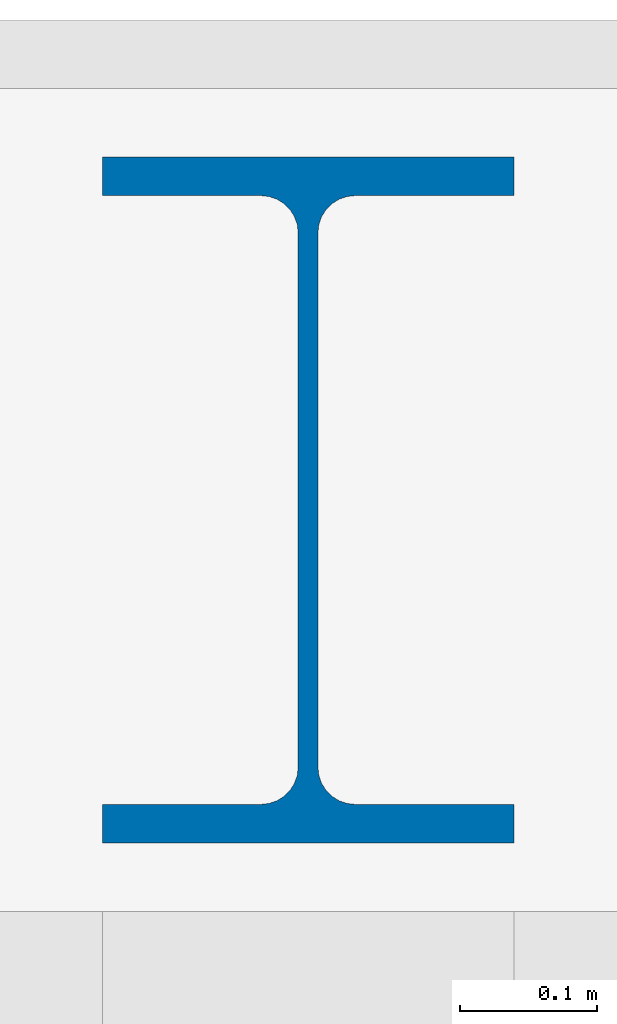
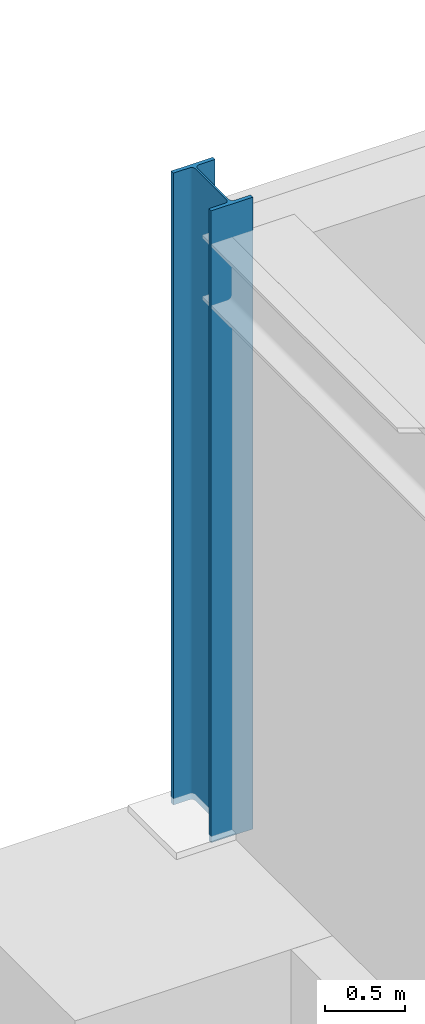
# One storey, part 23 of 50: 1 column.
"""IFC4 building model written with IfcOpenShell, lengths in metres."""

from ifc_helpers import new_model, si_unit, direction, frame, origin, origin_2d, place, context, subcontext, project, spatial, i_section, extrude, material, material_profile, profile_set, type_object, element, save


model = new_model("IFC4")

# Units and contexts
model_context = context("Model", 3, precision=1e-05, world=origin(), true_north=direction((0.0, 1.0)))
body_context = subcontext(model_context, "Body", "Model", "MODEL_VIEW")
ifc_project = project(units=[si_unit("LENGTHUNIT", "METRE"), si_unit("AREAUNIT", "SQUARE_METRE"), si_unit("VOLUMEUNIT", "CUBIC_METRE"), si_unit("PLANEANGLEUNIT", "RADIAN"), si_unit("MASSUNIT", "GRAM", prefix="KILO")], contexts=[model_context])

# Site, building, storey
site_placement = place(None, origin())
site = spatial("IfcSite", under=ifc_project, at=site_placement, CompositionType="ELEMENT")
building_placement = place(site_placement, origin())
building = spatial("IfcBuilding", under=site, at=building_placement, Name="Varnklinge Art Gallery", CompositionType="ELEMENT")
storey_placement = place(building_placement, frame((0.0, 0.0, -4.800048828125)))
storey = spatial("IfcBuildingStorey", under=building, at=storey_placement, Name="B01", CompositionType="ELEMENT", Elevation=-4.800048828125)

# Column
ifc_material = material(Name="Steel S355", Category="steel")
ifc_material_profile = material_profile(ifc_material, i_section(OverallWidth=0.300048828125, OverallDepth=0.5, WebThickness=0.014404296875, FlangeThickness=0.028076171875, FilletRadius=0.027099609375, at=origin_2d()), Name="HEB 500")
ifc_profile_set = profile_set([ifc_material_profile], Name="Steel S355")
column_type = type_object("IfcColumnType", Name="COL-E1", PredefinedType="COLUMN", material=ifc_profile_set)
column_placement = place(storey_placement, frame((114.39990234375, 113.5, 0.0), z_axis=(0.0, 0.0, 1.0), x_axis=(1.0, 0.0, 0.0)))
element("IfcColumn", 1, at=column_placement, inside=storey, type_object=column_type, Name="B01 Column V1C-1-8", PredefinedType="COLUMN", context=body_context, shape_type="SweptSolid", body=[
    extrude(i_section(OverallWidth=0.300048828125, OverallDepth=0.5, WebThickness=0.014404296875, FlangeThickness=0.028076171875, FilletRadius=0.027099609375, at=origin_2d()), origin(), (0.0, 0.0, 1.0), 4.800048828125),
])

save(model, "model.ifc")
